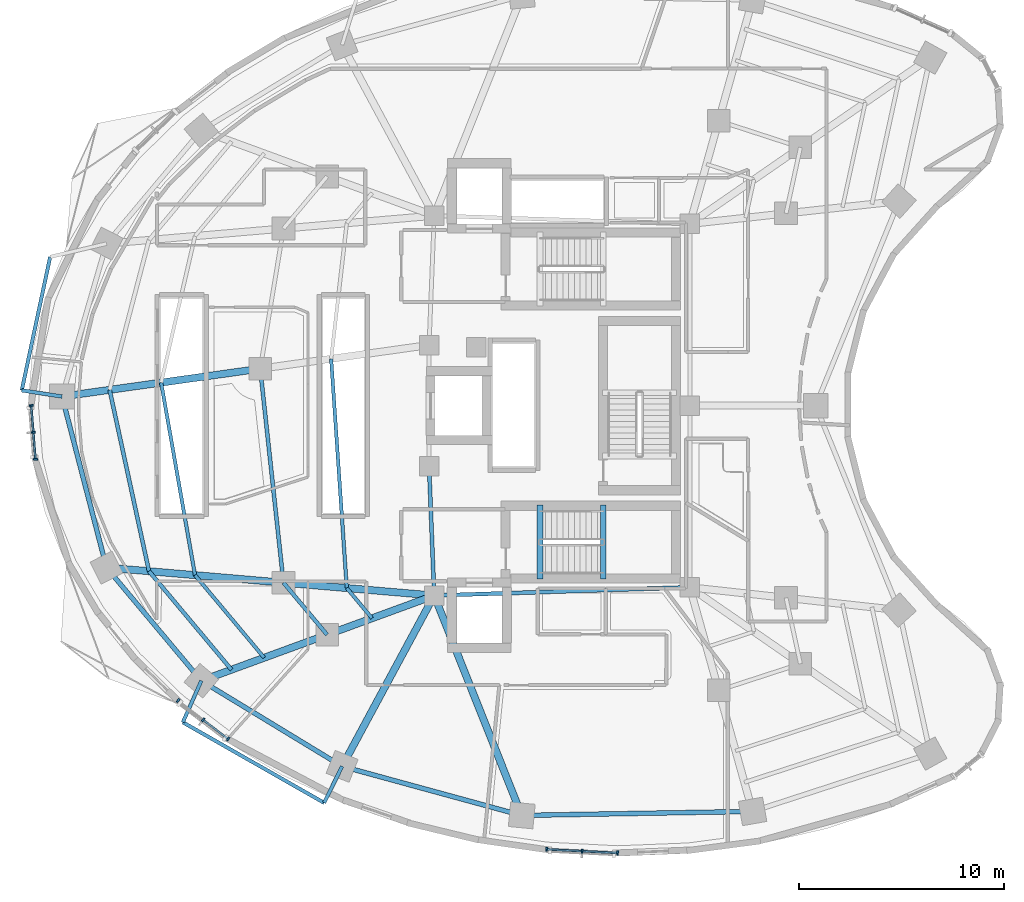
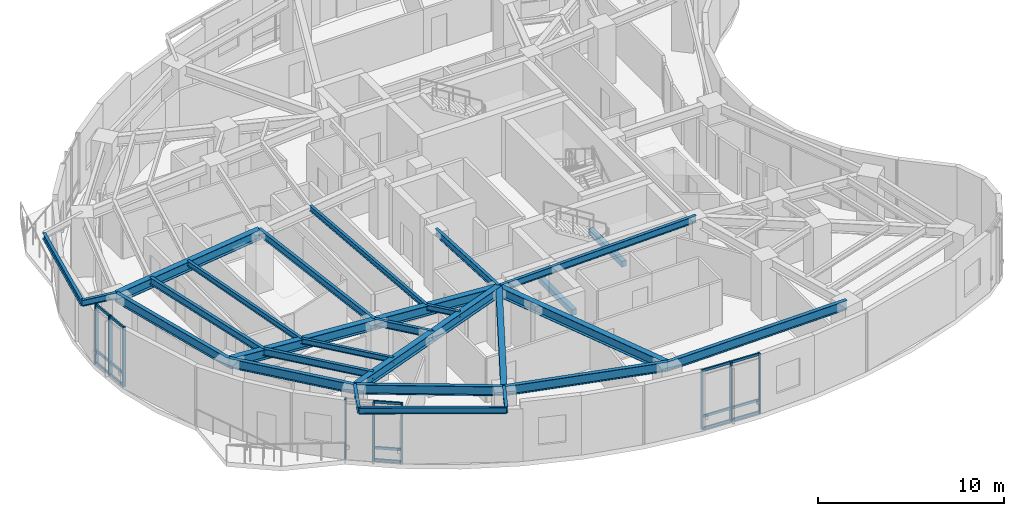
# One storey, part 2 of 15: 29 beams, 24 members, 3 elements without a shape of their own.
"""IFC4 building model written with IfcOpenShell, lengths in metres."""

from ifc_helpers import new_model, si_unit, direction, frame, origin, origin_2d, place, context, subcontext, project, spatial, rectangle, i_section, extrude, material, layer, layer_set, material_profile, profile_set, type_object, element, aggregate, save


model = new_model("IFC4")

# Units and contexts
model_context = context("Model", 3, precision=1e-05, world=origin(), true_north=direction((0.0, 1.0)))
body_context = subcontext(model_context, "Body", "Model", "MODEL_VIEW")
ifc_project = project(units=[si_unit("LENGTHUNIT", "METRE"), si_unit("AREAUNIT", "SQUARE_METRE"), si_unit("VOLUMEUNIT", "CUBIC_METRE"), si_unit("PLANEANGLEUNIT", "RADIAN"), si_unit("MASSUNIT", "GRAM", prefix="KILO")], contexts=[model_context])

# Site, building, storey
site_placement = place(None, origin())
site = spatial("IfcSite", under=ifc_project, at=site_placement, CompositionType="ELEMENT")
building_placement = place(site_placement, origin())
building = spatial("IfcBuilding", under=site, at=building_placement, Name="Korentha Bioscience Tower", CompositionType="ELEMENT")
storey_placement = place(building_placement, frame((0.0, 0.0, 98.39990234375)))
storey = spatial("IfcBuildingStorey", under=building, at=storey_placement, Name="L22", CompositionType="ELEMENT", Elevation=98.39990234375)

# Beams
ifc_material_1 = material(Name="Concrete C50", Category="concrete")
ifc_material_profile_1 = material_profile(ifc_material_1, rectangle(XDim=0.280029296875, YDim=0.3798828125, at=origin_2d()), Name="Concrete C50")
ifc_profile_set_1 = profile_set([ifc_material_profile_1], Name="Concrete C50 (ST-HB380)")
beam_type_1 = type_object("IfcBeamType", Name="Concrete Stair Header Beam RC 280x380", PredefinedType="BEAM", material=ifc_profile_set_1)
for number, where, z_axis, x_axis, name in (
    (1, (30.25, 18.550048828125, -0.18994140625), (0.0, 1.0, 0.0), (-1.0, 0.0, 0.0), "L22 ST-2 Concrete Stair Header Beam"),
    (2, (33.330078125, 18.550048828125, 1.91015625), (0.0, 1.0, 0.0), (-1.0, 0.0, 0.0), "L22 ST-2 Half-Landing Header Beam 1"),
):
    element("IfcBeam", number, at=place(storey_placement, frame(where, z_axis=z_axis, x_axis=x_axis)), inside=storey, type_object=beam_type_1, Name=name, PredefinedType="BEAM", context=body_context, shape_type="SweptSolid", body=[
        extrude(rectangle(XDim=0.280029296875, YDim=0.3798828125, at=origin_2d()), origin(), (0.0, 0.0, 1.0), 3.599853515625),
    ])
ifc_material_2 = material(Name="Steel S355", Category="steel")
ifc_material_profile_2 = material_profile(ifc_material_2, i_section(OverallWidth=0.18994140625, OverallDepth=0.45703125, WebThickness=0.009033203125, FlangeThickness=0.014404296875, at=origin_2d()), Name="Steel S355")
ifc_profile_set_2 = profile_set([ifc_material_profile_2], Name="Steel S355 (MB-460)")
beam_type_2 = type_object("IfcBeamType", Name="Mid-Ring Tie Girder W460x74", PredefinedType="BEAM", material=ifc_profile_set_2)
beam_1_placement = place(storey_placement, frame((16.627197265625, 28.796630859375, 3.671630859375), z_axis=(0.108002632645, -0.994150607977, 0.0), x_axis=(0.994150607977, 0.108002632645, 0.0)))
element("IfcBeam", 3, at=beam_1_placement, inside=storey, type_object=beam_type_2, Name="L22 Mid-Ring Tie Girder 07", PredefinedType="BEAM", context=body_context, shape_type="SweptSolid", body=[
    extrude(i_section(OverallWidth=0.18994140625, OverallDepth=0.45703125, WebThickness=0.009033203125, FlangeThickness=0.014404296875, at=origin_2d()), origin(), (0.0, 0.0, 1.0), 10.48193359375),
])
beam_2_placement = place(storey_placement, frame((17.75927734375, 18.3759765625, 3.671630859375), z_axis=(0.642121371708, -0.766602989817, 0.0), x_axis=(0.766602989817, 0.642121371708, 0.0)))
element("IfcBeam", 4, at=beam_2_placement, inside=storey, type_object=beam_type_2, Name="L22 Mid-Ring Tie Girder 08", PredefinedType="BEAM", context=body_context, shape_type="SweptSolid", body=[
    extrude(i_section(OverallWidth=0.18994140625, OverallDepth=0.45703125, WebThickness=0.009033203125, FlangeThickness=0.014404296875, at=origin_2d()), origin(), (0.0, 0.0, 1.0), 3.306640625),
])
beam_3_placement = place(storey_placement, frame((24.85009765625, 24.050048828125, 3.671630859375), z_axis=(0.039651025576, -0.999213588864, 0.0), x_axis=(0.999213588864, 0.039651025576, 0.0)))
element("IfcBeam", 5, at=beam_3_placement, inside=storey, type_object=beam_type_2, Name="L22 Core Ring Tie Girder 04", PredefinedType="BEAM", context=body_context, shape_type="SweptSolid", body=[
    extrude(i_section(OverallWidth=0.18994140625, OverallDepth=0.45703125, WebThickness=0.009033203125, FlangeThickness=0.014404296875, at=origin_2d()), origin(), (0.0, 0.0, 1.0), 6.304931640625),
])
beam_4_placement = place(storey_placement, frame((25.10009765625, 17.75, 3.671630859375), z_axis=(0.999484526071, 0.032104238723, 0.0), x_axis=(-0.032104238723, 0.999484526071, 0.0)))
element("IfcBeam", 6, at=beam_4_placement, inside=storey, type_object=beam_type_2, Name="L22 Core Ring Tie Girder 05", PredefinedType="BEAM", context=body_context, shape_type="SweptSolid", body=[
    extrude(i_section(OverallWidth=0.18994140625, OverallDepth=0.45703125, WebThickness=0.009033203125, FlangeThickness=0.014404296875, at=origin_2d()), origin(), (0.0, 0.0, 1.0), 12.456298828125),
])

# Curtain wall, members
ifc_material_3 = material(Name="Thermally Broken Aluminium Frame", Category="aluminium")
ifc_layer = layer(ifc_material_3, 0.219970703125, Name="Thermally Broken Aluminium Frame")
ifc_layer_set = layer_set([ifc_layer], Name="Thermally Broken Aluminium Frame (CW-T2)")
curtain_wall_type = type_object("IfcCurtainWallType", Name="Solar-Screened Lab Unitised Curtain Wall CW-T2", PredefinedType="USERDEFINED", material=ifc_layer_set)
curtain_wall_1_placement = place(storey_placement, origin())
curtain_wall_1 = element("IfcCurtainWall", 7, at=curtain_wall_1_placement, inside=storey, type_object=curtain_wall_type, Name="L22 Curtain Wall 19", ObjectType="UNITISED", PredefinedType="USERDEFINED")
ifc_material_4 = material(Name="Anodised Aluminium 6063-T6", Category="aluminium")
ifc_material_profile_3 = material_profile(ifc_material_4, rectangle(XDim=0.090087890625, YDim=0.199951171875, at=origin_2d()), Name="Anodised Aluminium 6063-T6")
ifc_profile_set_3 = profile_set([ifc_material_profile_3], Name="Anodised Aluminium 6063-T6 (CW-MUL)")
member_type_1 = type_object("IfcMemberType", Name="Mullion RECT 90x200", PredefinedType="MULLION", material=ifc_profile_set_3)
member_1_placement = place(storey_placement, frame((5.473876953125, 27.0078125, 0.0), z_axis=(0.0, 0.0, 1.0), x_axis=(0.079130214674, -0.996864288219, 0.0)))
member_1 = element("IfcMember", 8, at=member_1_placement, type_object=member_type_1, Name="CW-L22-19 Mullion 1", PredefinedType="MULLION", context=body_context, shape_type="SweptSolid", body=[
    extrude(rectangle(XDim=0.090087890625, YDim=0.199951171875, at=origin_2d()), origin(), (0.0, 0.0, 1.0), 3.900146484375),
])
member_2_placement = place(storey_placement, frame((5.577880859375, 25.6962890625, 0.0), z_axis=(0.0, 0.0, 1.0), x_axis=(0.079130214674, -0.996864288219, 0.0)))
member_2 = element("IfcMember", 9, at=member_2_placement, type_object=member_type_1, Name="CW-L22-19 Mullion 2", PredefinedType="MULLION", context=body_context, shape_type="SweptSolid", body=[
    extrude(rectangle(XDim=0.090087890625, YDim=0.199951171875, at=origin_2d()), origin(), (0.0, 0.0, 1.0), 3.900146484375),
])
member_3_placement = place(storey_placement, frame((5.681884765625, 24.38525390625, 0.0), z_axis=(0.0, 0.0, 1.0), x_axis=(0.079130214674, -0.996864288219, 0.0)))
member_3 = element("IfcMember", 10, at=member_3_placement, type_object=member_type_1, Name="CW-L22-19 Mullion 3", PredefinedType="MULLION", context=body_context, shape_type="SweptSolid", body=[
    extrude(rectangle(XDim=0.090087890625, YDim=0.199951171875, at=origin_2d()), origin(), (0.0, 0.0, 1.0), 3.900146484375),
])

curtain_wall_2_placement = place(storey_placement, origin())
curtain_wall_2 = element("IfcCurtainWall", 11, at=curtain_wall_2_placement, inside=storey, type_object=curtain_wall_type, Name="L22 Curtain Wall 25", ObjectType="UNITISED", PredefinedType="USERDEFINED")
member_4_placement = place(storey_placement, frame((12.624267578125, 12.62890625, 0.0), z_axis=(0.0, 0.0, 1.0), x_axis=(0.794499603893, -0.607264669986, 0.0)))
member_4 = element("IfcMember", 12, at=member_4_placement, type_object=member_type_1, Name="CW-L22-25 Mullion 1", PredefinedType="MULLION", context=body_context, shape_type="SweptSolid", body=[
    extrude(rectangle(XDim=0.090087890625, YDim=0.199951171875, at=origin_2d()), origin(), (0.0, 0.0, 1.0), 3.900146484375),
])
member_5_placement = place(storey_placement, frame((13.844970703125, 11.69580078125, 0.0), z_axis=(0.0, 0.0, 1.0), x_axis=(0.794499603893, -0.607264669986, 0.0)))
member_5 = element("IfcMember", 13, at=member_5_placement, type_object=member_type_1, Name="CW-L22-25 Mullion 2", PredefinedType="MULLION", context=body_context, shape_type="SweptSolid", body=[
    extrude(rectangle(XDim=0.090087890625, YDim=0.199951171875, at=origin_2d()), origin(), (0.0, 0.0, 1.0), 3.900146484375),
])
member_6_placement = place(storey_placement, frame((15.0654296875, 10.7626953125, 0.0), z_axis=(0.0, 0.0, 1.0), x_axis=(0.794499603893, -0.607264669986, 0.0)))
member_6 = element("IfcMember", 14, at=member_6_placement, type_object=member_type_1, Name="CW-L22-25 Mullion 3", PredefinedType="MULLION", context=body_context, shape_type="SweptSolid", body=[
    extrude(rectangle(XDim=0.090087890625, YDim=0.199951171875, at=origin_2d()), origin(), (0.0, 0.0, 1.0), 3.900146484375),
])

curtain_wall_3_placement = place(storey_placement, origin())
curtain_wall_3 = element("IfcCurtainWall", 15, at=curtain_wall_3_placement, inside=storey, type_object=curtain_wall_type, Name="L22 Curtain Wall 31", ObjectType="UNITISED", PredefinedType="USERDEFINED")
member_7_placement = place(storey_placement, frame((30.571533203125, 5.39111328125, 0.0), z_axis=(0.0, 0.0, 1.0), x_axis=(0.998673231344, -0.051495407527, 0.0)))
member_7 = element("IfcMember", 16, at=member_7_placement, type_object=member_type_1, Name="CW-L22-31 Mullion 1", PredefinedType="MULLION", context=body_context, shape_type="SweptSolid", body=[
    extrude(rectangle(XDim=0.090087890625, YDim=0.199951171875, at=origin_2d()), origin(), (0.0, 0.0, 1.0), 3.900146484375),
])
member_8_placement = place(storey_placement, frame((32.301025390625, 5.302001953125, 0.0), z_axis=(0.0, 0.0, 1.0), x_axis=(0.998673231344, -0.051495407527, 0.0)))
member_8 = element("IfcMember", 17, at=member_8_placement, type_object=member_type_1, Name="CW-L22-31 Mullion 2", PredefinedType="MULLION", context=body_context, shape_type="SweptSolid", body=[
    extrude(rectangle(XDim=0.090087890625, YDim=0.199951171875, at=origin_2d()), origin(), (0.0, 0.0, 1.0), 3.900146484375),
])
member_9_placement = place(storey_placement, frame((34.03076171875, 5.212646484375, 0.0), z_axis=(0.0, 0.0, 1.0), x_axis=(0.998673231344, -0.051495407527, 0.0)))
member_9 = element("IfcMember", 18, at=member_9_placement, type_object=member_type_1, Name="CW-L22-31 Mullion 3", PredefinedType="MULLION", context=body_context, shape_type="SweptSolid", body=[
    extrude(rectangle(XDim=0.090087890625, YDim=0.199951171875, at=origin_2d()), origin(), (0.0, 0.0, 1.0), 3.900146484375),
])

# Beams
ifc_material_profile_4 = material_profile(ifc_material_2, i_section(OverallWidth=0.22802734375, OverallDepth=0.60791015625, WebThickness=0.01123046875, FlangeThickness=0.017333984375, at=origin_2d()), Name="Steel S355")
ifc_profile_set_4 = profile_set([ifc_material_profile_4], Name="Steel S355 (SB-610)")
beam_type_3 = type_object("IfcBeamType", Name="Perimeter Ring Spandrel Girder W610x113", PredefinedType="SPANDREL", material=ifc_profile_set_4)
beam_5_placement = place(storey_placement, frame((6.97412109375, 27.4423828125, 3.59619140625), z_axis=(0.251792692694, -0.96778119423, 0.0), x_axis=(0.96778119423, 0.251792692694, 0.0)))
element("IfcBeam", 19, at=beam_5_placement, inside=storey, type_object=beam_type_3, Name="L22 Perimeter Spandrel Girder 07", PredefinedType="SPANDREL", context=body_context, shape_type="SweptSolid", body=[
    extrude(i_section(OverallWidth=0.22802734375, OverallDepth=0.60791015625, WebThickness=0.01123046875, FlangeThickness=0.017333984375, at=origin_2d()), origin(), (0.0, 0.0, 1.0), 8.609130859375),
])
beam_6_placement = place(storey_placement, frame((9.141845703125, 19.110595703125, 3.59619140625), z_axis=(0.642126556076, -0.76659864726, 0.0), x_axis=(0.76659864726, 0.642126556076, 0.0)))
element("IfcBeam", 20, at=beam_6_placement, inside=storey, type_object=beam_type_3, Name="L22 Perimeter Spandrel Girder 08", PredefinedType="SPANDREL", context=body_context, shape_type="SweptSolid", body=[
    extrude(i_section(OverallWidth=0.22802734375, OverallDepth=0.60791015625, WebThickness=0.01123046875, FlangeThickness=0.017333984375, at=origin_2d()), origin(), (0.0, 0.0, 1.0), 7.1884765625),
])
beam_7_placement = place(storey_placement, frame((13.7578125, 13.599853515625, 3.59619140625), z_axis=(0.854461040474, -0.51951547649, 0.0), x_axis=(0.51951547649, 0.854461040474, 0.0)))
element("IfcBeam", 21, at=beam_7_placement, inside=storey, type_object=beam_type_3, Name="L22 Perimeter Spandrel Girder 09", PredefinedType="SPANDREL", context=body_context, shape_type="SweptSolid", body=[
    extrude(i_section(OverallWidth=0.22802734375, OverallDepth=0.60791015625, WebThickness=0.01123046875, FlangeThickness=0.017333984375, at=origin_2d()), origin(), (0.0, 0.0, 1.0), 8.025146484375),
])
beam_8_placement = place(storey_placement, frame((20.614990234375, 9.4306640625, 3.59619140625), z_axis=(0.964659386444, -0.263500034431, 0.0), x_axis=(0.263500034431, 0.964659386444, 0.0)))
element("IfcBeam", 22, at=beam_8_placement, inside=storey, type_object=beam_type_3, Name="L22 Perimeter Spandrel Girder 10", PredefinedType="SPANDREL", context=body_context, shape_type="SweptSolid", body=[
    extrude(i_section(OverallWidth=0.22802734375, OverallDepth=0.60791015625, WebThickness=0.01123046875, FlangeThickness=0.017333984375, at=origin_2d()), origin(), (0.0, 0.0, 1.0), 9.06982421875),
])
beam_9_placement = place(storey_placement, frame((29.3642578125, 7.040771484375, 3.59619140625), z_axis=(0.999850566826, 0.017287105523, 0.0), x_axis=(-0.017287105523, 0.999850566826, 0.0)))
element("IfcBeam", 23, at=beam_9_placement, inside=storey, type_object=beam_type_3, Name="L22 Perimeter Spandrel Girder 11", PredefinedType="SPANDREL", context=body_context, shape_type="SweptSolid", body=[
    extrude(i_section(OverallWidth=0.22802734375, OverallDepth=0.60791015625, WebThickness=0.01123046875, FlangeThickness=0.017333984375, at=origin_2d()), origin(), (0.0, 0.0, 1.0), 11.24169921875),
])
ifc_material_profile_5 = material_profile(ifc_material_2, i_section(OverallWidth=0.18994140625, OverallDepth=0.45703125, WebThickness=0.009033203125, FlangeThickness=0.014404296875, at=origin_2d()), Name="Steel S355")
ifc_profile_set_5 = profile_set([ifc_material_profile_5], Name="Steel S355 (RB-460)")
beam_type_4 = type_object("IfcBeamType", Name="Radial Laboratory Beam W460x74", PredefinedType="BEAM", material=ifc_profile_set_5)
beam_10_placement = place(storey_placement, frame((9.291015625, 27.767578125, 3.671630859375), z_axis=(0.212289478944, -0.977206824132, 0.0), x_axis=(0.977206824132, 0.212289478944, 0.0)))
element("IfcBeam", 24, at=beam_10_placement, inside=storey, type_object=beam_type_4, Name="L22 Secondary Floor Beam JSTO-07", PredefinedType="BEAM", context=body_context, shape_type="SweptSolid", body=[
    extrude(i_section(OverallWidth=0.18994140625, OverallDepth=0.45703125, WebThickness=0.009033203125, FlangeThickness=0.014404296875, at=origin_2d()), origin(), (0.0, 0.0, 1.0), 9.039306640625),
])
beam_11_placement = place(storey_placement, frame((11.2099609375, 18.934326171875, 3.671630859375), z_axis=(0.642128156066, -0.766597307057, 0.0), x_axis=(0.766597307057, 0.642128156066, 0.0)))
element("IfcBeam", 25, at=beam_11_placement, inside=storey, type_object=beam_type_4, Name="L22 Secondary Floor Beam JSTO-08", PredefinedType="BEAM", context=body_context, shape_type="SweptSolid", body=[
    extrude(i_section(OverallWidth=0.18994140625, OverallDepth=0.45703125, WebThickness=0.009033203125, FlangeThickness=0.014404296875, at=origin_2d()), origin(), (0.0, 0.0, 1.0), 6.257080078125),
])
ifc_material_profile_6 = material_profile(ifc_material_2, i_section(OverallWidth=0.35009765625, OverallDepth=0.64990234375, WebThickness=0.01611328125, FlangeThickness=0.02490234375, at=origin_2d()), Name="Steel S355")
ifc_profile_set_6 = profile_set([ifc_material_profile_6], Name="Steel S355 (RB-650)")
beam_type_5 = type_object("IfcBeamType", Name="Radial Laboratory Girder CVS 650x208", PredefinedType="BEAM", material=ifc_profile_set_6)
beam_12_placement = place(storey_placement, frame((16.627197265625, 28.796630859375, 3.5751953125), z_axis=(-0.99030201931, -0.138931315944, 0.0), x_axis=(0.138931315944, -0.99030201931, 0.0)))
element("IfcBeam", 26, at=beam_12_placement, inside=storey, type_object=beam_type_5, Name="L22 Outer Radial Girder 07", PredefinedType="BEAM", context=body_context, shape_type="SweptSolid", body=[
    extrude(i_section(OverallWidth=0.35009765625, OverallDepth=0.64990234375, WebThickness=0.01611328125, FlangeThickness=0.02490234375, at=origin_2d()), origin(), (0.0, 0.0, 1.0), 9.74755859375),
])
beam_13_placement = place(storey_placement, frame((25.10009765625, 17.75, 3.5751953125), z_axis=(-0.996383934197, 0.084965026183, 0.0), x_axis=(-0.084965026183, -0.996383934197, 0.0)))
element("IfcBeam", 27, at=beam_13_placement, inside=storey, type_object=beam_type_5, Name="L22 Inner Radial Girder 08", PredefinedType="BEAM", context=body_context, shape_type="SweptSolid", body=[
    extrude(i_section(OverallWidth=0.35009765625, OverallDepth=0.64990234375, WebThickness=0.01611328125, FlangeThickness=0.02490234375, at=origin_2d()), origin(), (0.0, 0.0, 1.0), 7.367431640625),
])
beam_14_placement = place(storey_placement, frame((17.75927734375, 18.3759765625, 3.5751953125), z_axis=(-0.996386071548, 0.084939957767, 0.0), x_axis=(-0.084939957767, -0.996386071548, 0.0)))
element("IfcBeam", 28, at=beam_14_placement, inside=storey, type_object=beam_type_5, Name="L22 Outer Radial Girder 08", PredefinedType="BEAM", context=body_context, shape_type="SweptSolid", body=[
    extrude(i_section(OverallWidth=0.35009765625, OverallDepth=0.64990234375, WebThickness=0.01611328125, FlangeThickness=0.02490234375, at=origin_2d()), origin(), (0.0, 0.0, 1.0), 8.648681640625),
])
beam_15_placement = place(storey_placement, frame((25.10009765625, 17.75, 3.5751953125), z_axis=(-0.939118010396, -0.343594765022, 0.0), x_axis=(0.343594765022, -0.939118010396, 0.0)))
element("IfcBeam", 29, at=beam_15_placement, inside=storey, type_object=beam_type_5, Name="L22 Inner Radial Girder 09", PredefinedType="BEAM", context=body_context, shape_type="SweptSolid", body=[
    extrude(i_section(OverallWidth=0.35009765625, OverallDepth=0.64990234375, WebThickness=0.01611328125, FlangeThickness=0.02490234375, at=origin_2d()), origin(), (0.0, 0.0, 1.0), 5.5556640625),
])
beam_16_placement = place(storey_placement, frame((19.882568359375, 15.841064453125, 3.5751953125), z_axis=(-0.939100755225, -0.343641923425, 0.0), x_axis=(0.343641923425, -0.939100755225, 0.0)))
element("IfcBeam", 30, at=beam_16_placement, inside=storey, type_object=beam_type_5, Name="L22 Outer Radial Girder 09", PredefinedType="BEAM", context=body_context, shape_type="SweptSolid", body=[
    extrude(i_section(OverallWidth=0.35009765625, OverallDepth=0.64990234375, WebThickness=0.01611328125, FlangeThickness=0.02490234375, at=origin_2d()), origin(), (0.0, 0.0, 1.0), 6.52197265625),
])
beam_17_placement = place(storey_placement, frame((25.10009765625, 17.75, 3.5751953125), z_axis=(-0.474548018732, -0.880229616587, 0.0), x_axis=(0.880229616587, -0.474548018732, 0.0)))
element("IfcBeam", 31, at=beam_17_placement, inside=storey, type_object=beam_type_5, Name="L22 Radial Girder 10", PredefinedType="BEAM", context=body_context, shape_type="SweptSolid", body=[
    extrude(i_section(OverallWidth=0.35009765625, OverallDepth=0.64990234375, WebThickness=0.01611328125, FlangeThickness=0.02490234375, at=origin_2d()), origin(), (0.0, 0.0, 1.0), 9.451416015625),
])
beam_18_placement = place(storey_placement, frame((25.10009765625, 17.75, 3.5751953125), z_axis=(0.369929528493, -0.929059817207, 0.0), x_axis=(0.929059817207, 0.369929528493, 0.0)))
element("IfcBeam", 32, at=beam_18_placement, inside=storey, type_object=beam_type_5, Name="L22 Radial Girder 11", PredefinedType="BEAM", context=body_context, shape_type="SweptSolid", body=[
    extrude(i_section(OverallWidth=0.35009765625, OverallDepth=0.64990234375, WebThickness=0.01611328125, FlangeThickness=0.02490234375, at=origin_2d()), origin(), (0.0, 0.0, 1.0), 11.52685546875),
])
ifc_material_profile_7 = material_profile(ifc_material_2, i_section(OverallWidth=0.1708984375, OverallDepth=0.35498046875, WebThickness=0.007080078125, FlangeThickness=0.01171875, at=origin_2d()), Name="Steel S355")
ifc_profile_set_7 = profile_set([ifc_material_profile_7], Name="Steel S355 (JB-360)")
beam_type_6 = type_object("IfcBeamType", Name="Secondary Laboratory Joist W360x51", PredefinedType="JOIST", material=ifc_profile_set_7)
beam_19_placement = place(storey_placement, frame((11.800537109375, 28.11962890625, 3.72265625), z_axis=(0.173304009699, -0.984868377105, 0.0), x_axis=(0.984868377105, 0.173304009699, 0.0)))
element("IfcBeam", 33, at=beam_19_placement, inside=storey, type_object=beam_type_6, Name="L22 Secondary Floor Beam JST-07", PredefinedType="JOIST", context=body_context, shape_type="SweptSolid", body=[
    extrude(i_section(OverallWidth=0.1708984375, OverallDepth=0.35498046875, WebThickness=0.007080078125, FlangeThickness=0.01171875, at=origin_2d()), origin(), (0.0, 0.0, 1.0), 9.520263671875),
])
beam_20_placement = place(storey_placement, frame((20.080810546875, 29.281005859375, 3.72265625), z_axis=(0.068025861704, -0.997683558118, 0.0), x_axis=(0.997683558118, 0.068025861704, 0.0)))
element("IfcBeam", 34, at=beam_20_placement, inside=storey, type_object=beam_type_6, Name="L22 Inner Bay Joist 07", PredefinedType="JOIST", context=body_context, shape_type="SweptSolid", body=[
    extrude(i_section(OverallWidth=0.1708984375, OverallDepth=0.35498046875, WebThickness=0.007080078125, FlangeThickness=0.01171875, at=origin_2d()), origin(), (0.0, 0.0, 1.0), 11.19384765625),
])
beam_21_placement = place(storey_placement, frame((13.450439453125, 18.743408203125, 3.72265625), z_axis=(0.642140812018, -0.76658670582, 0.0), x_axis=(0.76658670582, 0.642140812018, 0.0)))
element("IfcBeam", 35, at=beam_21_placement, inside=storey, type_object=beam_type_6, Name="L22 Secondary Floor Beam JST-08", PredefinedType="JOIST", context=body_context, shape_type="SweptSolid", body=[
    extrude(i_section(OverallWidth=0.1708984375, OverallDepth=0.35498046875, WebThickness=0.007080078125, FlangeThickness=0.01171875, at=origin_2d()), origin(), (0.0, 0.0, 1.0), 5.247802734375),
])
beam_22_placement = place(storey_placement, frame((20.84228515625, 18.113037109375, 3.72265625), z_axis=(0.64218549873, -0.766549271229, 0.0), x_axis=(0.766549271229, 0.64218549873, 0.0)))
element("IfcBeam", 36, at=beam_22_placement, inside=storey, type_object=beam_type_6, Name="L22 Inner Bay Joist 08", PredefinedType="JOIST", context=body_context, shape_type="SweptSolid", body=[
    extrude(i_section(OverallWidth=0.1708984375, OverallDepth=0.35498046875, WebThickness=0.007080078125, FlangeThickness=0.01171875, at=origin_2d()), origin(), (0.0, 0.0, 1.0), 1.91796875),
])
ifc_material_profile_8 = material_profile(ifc_material_2, i_section(OverallWidth=0.177978515625, OverallDepth=0.406982421875, WebThickness=0.0078125, FlangeThickness=0.0126953125, at=origin_2d()), Name="Steel S355")
ifc_profile_set_8 = profile_set([ifc_material_profile_8], Name="Steel S355 (CB-410)")
beam_type_7 = type_object("IfcBeamType", Name="Sun-Ledge Cantilever Beam W410x60", PredefinedType="BEAM", material=ifc_profile_set_8)
beam_23_placement = place(storey_placement, frame((6.97412109375, 27.4423828125, 3.698486328125), z_axis=(-0.988449844693, 0.151548357058, 0.0), x_axis=(-0.151548357058, -0.988449844693, 0.0)))
element("IfcBeam", 37, at=beam_23_placement, inside=storey, type_object=beam_type_7, Name="L22 Balcony Cantilever Bracket B-L23-02", PredefinedType="BEAM", context=body_context, shape_type="SweptSolid", body=[
    extrude(i_section(OverallWidth=0.177978515625, OverallDepth=0.406982421875, WebThickness=0.0078125, FlangeThickness=0.0126953125, at=origin_2d()), origin(), (0.0, 0.0, 1.0), 1.983154296875),
])
beam_24_placement = place(storey_placement, frame((6.396240234375, 34.241943359375, 3.698486328125), z_axis=(-0.208043322496, -0.978119612299, 0.0), x_axis=(0.978119612299, -0.208043322496, 0.0)))
element("IfcBeam", 38, at=beam_24_placement, inside=storey, type_object=beam_type_7, Name="L22 Balcony Edge Trimmer Beam L23-02", PredefinedType="BEAM", context=body_context, shape_type="SweptSolid", body=[
    extrude(i_section(OverallWidth=0.177978515625, OverallDepth=0.406982421875, WebThickness=0.0078125, FlangeThickness=0.0126953125, at=origin_2d()), origin(), (0.0, 0.0, 1.0), 6.644287109375),
])
beam_25_placement = place(storey_placement, frame((13.7578125, 13.599853515625, 3.698486328125), z_axis=(-0.405872529473, -0.913929696322, 0.0), x_axis=(0.913929696322, -0.405872529473, 0.0)))
element("IfcBeam", 39, at=beam_25_placement, inside=storey, type_object=beam_type_7, Name="L22 Balcony Cantilever Bracket A-L23-03", PredefinedType="BEAM", context=body_context, shape_type="SweptSolid", body=[
    extrude(i_section(OverallWidth=0.177978515625, OverallDepth=0.406982421875, WebThickness=0.0078125, FlangeThickness=0.0126953125, at=origin_2d()), origin(), (0.0, 0.0, 1.0), 2.21484375),
])
beam_26_placement = place(storey_placement, frame((20.614990234375, 9.4306640625, 3.698486328125), z_axis=(-0.442573573107, -0.896732196582, 0.0), x_axis=(0.896732196582, -0.442573573107, 0.0)))
element("IfcBeam", 40, at=beam_26_placement, inside=storey, type_object=beam_type_7, Name="L22 Balcony Cantilever Bracket B-L23-03", PredefinedType="BEAM", context=body_context, shape_type="SweptSolid", body=[
    extrude(i_section(OverallWidth=0.177978515625, OverallDepth=0.406982421875, WebThickness=0.0078125, FlangeThickness=0.0126953125, at=origin_2d()), origin(), (0.0, 0.0, 1.0), 1.98095703125),
])
beam_27_placement = place(storey_placement, frame((12.85888671875, 11.57568359375, 3.698486328125), z_axis=(0.868770107345, -0.495215610198, 0.0), x_axis=(0.495215610198, 0.868770107345, 0.0)))
element("IfcBeam", 41, at=beam_27_placement, inside=storey, type_object=beam_type_7, Name="L22 Balcony Edge Trimmer Beam L23-03", PredefinedType="BEAM", context=body_context, shape_type="SweptSolid", body=[
    extrude(i_section(OverallWidth=0.177978515625, OverallDepth=0.406982421875, WebThickness=0.0078125, FlangeThickness=0.0126953125, at=origin_2d()), origin(), (0.0, 0.0, 1.0), 7.91845703125),
])

# Member
ifc_material_profile_9 = material_profile(ifc_material_4, rectangle(XDim=0.090087890625, YDim=0.159912109375, at=origin_2d()), Name="Anodised Aluminium 6063-T6")
ifc_profile_set_9 = profile_set([ifc_material_profile_9], Name="Anodised Aluminium 6063-T6 (CW-TRN)")
member_type_2 = type_object("IfcMemberType", Name="Transom RECT 90x160", PredefinedType="USERDEFINED", material=ifc_profile_set_9)
member_10_placement = place(storey_placement, frame((5.477294921875, 26.962890625, 0.045166015625), z_axis=(0.079285983344, -0.996851911191, 0.0), x_axis=(0.996851911191, 0.079285983344, 0.0)))
member_10 = element("IfcMember", 42, at=member_10_placement, type_object=member_type_2, Name="CW-L22-19 Bay 1 Transom 1", ObjectType="TRANSOM", PredefinedType="USERDEFINED", context=body_context, shape_type="SweptSolid", body=[
    extrude(rectangle(XDim=0.090087890625, YDim=0.159912109375, at=origin_2d()), origin(), (0.0, 0.0, 1.0), 1.2255859375),
])

member_11_placement = place(storey_placement, frame((5.477294921875, 26.962890625, 0.85009765625), z_axis=(0.079285983344, -0.996851911191, 0.0), x_axis=(0.996851911191, 0.079285983344, 0.0)))
member_11 = element("IfcMember", 43, at=member_11_placement, type_object=member_type_2, Name="CW-L22-19 Bay 1 Transom 2", ObjectType="TRANSOM", PredefinedType="USERDEFINED", context=body_context, shape_type="SweptSolid", body=[
    extrude(rectangle(XDim=0.090087890625, YDim=0.159912109375, at=origin_2d()), origin(), (0.0, 0.0, 1.0), 1.2255859375),
])

member_12_placement = place(storey_placement, frame((5.477294921875, 26.962890625, 3.85498046875), z_axis=(0.079285983344, -0.996851911191, 0.0), x_axis=(0.996851911191, 0.079285983344, 0.0)))
member_12 = element("IfcMember", 44, at=member_12_placement, type_object=member_type_2, Name="CW-L22-19 Bay 1 Transom 3", ObjectType="TRANSOM", PredefinedType="USERDEFINED", context=body_context, shape_type="SweptSolid", body=[
    extrude(rectangle(XDim=0.090087890625, YDim=0.159912109375, at=origin_2d()), origin(), (0.0, 0.0, 1.0), 1.2255859375),
])

member_13_placement = place(storey_placement, frame((5.58154296875, 25.651611328125, 0.045166015625), z_axis=(0.079088019938, -0.996867636701, 0.0), x_axis=(0.996867636701, 0.079088019938, 0.0)))
member_13 = element("IfcMember", 45, at=member_13_placement, type_object=member_type_2, Name="CW-L22-19 Bay 2 Transom 1", ObjectType="TRANSOM", PredefinedType="USERDEFINED", context=body_context, shape_type="SweptSolid", body=[
    extrude(rectangle(XDim=0.090087890625, YDim=0.159912109375, at=origin_2d()), origin(), (0.0, 0.0, 1.0), 1.2255859375),
])

member_14_placement = place(storey_placement, frame((5.58154296875, 25.651611328125, 0.85009765625), z_axis=(0.079088019938, -0.996867636701, 0.0), x_axis=(0.996867636701, 0.079088019938, 0.0)))
member_14 = element("IfcMember", 46, at=member_14_placement, type_object=member_type_2, Name="CW-L22-19 Bay 2 Transom 2", ObjectType="TRANSOM", PredefinedType="USERDEFINED", context=body_context, shape_type="SweptSolid", body=[
    extrude(rectangle(XDim=0.090087890625, YDim=0.159912109375, at=origin_2d()), origin(), (0.0, 0.0, 1.0), 1.2255859375),
])

member_15_placement = place(storey_placement, frame((5.58154296875, 25.651611328125, 3.85498046875), z_axis=(0.079088019938, -0.996867636701, 0.0), x_axis=(0.996867636701, 0.079088019938, 0.0)))
member_15 = element("IfcMember", 47, at=member_15_placement, type_object=member_type_2, Name="CW-L22-19 Bay 2 Transom 3", ObjectType="TRANSOM", PredefinedType="USERDEFINED", context=body_context, shape_type="SweptSolid", body=[
    extrude(rectangle(XDim=0.090087890625, YDim=0.159912109375, at=origin_2d()), origin(), (0.0, 0.0, 1.0), 1.2255859375),
])

aggregate(curtain_wall_1, [member_1, member_2, member_3, member_10, member_11, member_12, member_13, member_14, member_15])

member_16_placement = place(storey_placement, frame((13.880615234375, 11.66845703125, 0.045166015625), z_axis=(0.794477589546, -0.607293470828, 0.0), x_axis=(0.607293470828, 0.794477589546, 0.0)))
member_16 = element("IfcMember", 48, at=member_16_placement, type_object=member_type_2, Name="CW-L22-25 Bay 2 Transom 1", ObjectType="TRANSOM", PredefinedType="USERDEFINED", context=body_context, shape_type="SweptSolid", body=[
    extrude(rectangle(XDim=0.090087890625, YDim=0.159912109375, at=origin_2d()), origin(), (0.0, 0.0, 1.0), 1.446533203125),
])

member_17_placement = place(storey_placement, frame((13.880615234375, 11.66845703125, 0.85009765625), z_axis=(0.794477589546, -0.607293470828, 0.0), x_axis=(0.607293470828, 0.794477589546, 0.0)))
member_17 = element("IfcMember", 49, at=member_17_placement, type_object=member_type_2, Name="CW-L22-25 Bay 2 Transom 2", ObjectType="TRANSOM", PredefinedType="USERDEFINED", context=body_context, shape_type="SweptSolid", body=[
    extrude(rectangle(XDim=0.090087890625, YDim=0.159912109375, at=origin_2d()), origin(), (0.0, 0.0, 1.0), 1.446533203125),
])

member_18_placement = place(storey_placement, frame((13.880615234375, 11.66845703125, 3.85498046875), z_axis=(0.794477589546, -0.607293470828, 0.0), x_axis=(0.607293470828, 0.794477589546, 0.0)))
member_18 = element("IfcMember", 50, at=member_18_placement, type_object=member_type_2, Name="CW-L22-25 Bay 2 Transom 3", ObjectType="TRANSOM", PredefinedType="USERDEFINED", context=body_context, shape_type="SweptSolid", body=[
    extrude(rectangle(XDim=0.090087890625, YDim=0.159912109375, at=origin_2d()), origin(), (0.0, 0.0, 1.0), 1.446533203125),
])

aggregate(curtain_wall_2, [member_4, member_5, member_6, member_16, member_17, member_18])

member_19_placement = place(storey_placement, frame((30.616455078125, 5.388916015625, 0.045166015625), z_axis=(0.998667892989, -0.05159883247, 0.0), x_axis=(0.05159883247, 0.998667892989, 0.0)))
member_19 = element("IfcMember", 51, at=member_19_placement, type_object=member_type_2, Name="CW-L22-31 Bay 1 Transom 1", ObjectType="TRANSOM", PredefinedType="USERDEFINED", context=body_context, shape_type="SweptSolid", body=[
    extrude(rectangle(XDim=0.090087890625, YDim=0.159912109375, at=origin_2d()), origin(), (0.0, 0.0, 1.0), 1.641845703125),
])

member_20_placement = place(storey_placement, frame((30.616455078125, 5.388916015625, 0.85009765625), z_axis=(0.998667892989, -0.05159883247, 0.0), x_axis=(0.05159883247, 0.998667892989, 0.0)))
member_20 = element("IfcMember", 52, at=member_20_placement, type_object=member_type_2, Name="CW-L22-31 Bay 1 Transom 2", ObjectType="TRANSOM", PredefinedType="USERDEFINED", context=body_context, shape_type="SweptSolid", body=[
    extrude(rectangle(XDim=0.090087890625, YDim=0.159912109375, at=origin_2d()), origin(), (0.0, 0.0, 1.0), 1.641845703125),
])

member_21_placement = place(storey_placement, frame((30.616455078125, 5.388916015625, 3.85498046875), z_axis=(0.998667892989, -0.05159883247, 0.0), x_axis=(0.05159883247, 0.998667892989, 0.0)))
member_21 = element("IfcMember", 53, at=member_21_placement, type_object=member_type_2, Name="CW-L22-31 Bay 1 Transom 3", ObjectType="TRANSOM", PredefinedType="USERDEFINED", context=body_context, shape_type="SweptSolid", body=[
    extrude(rectangle(XDim=0.090087890625, YDim=0.159912109375, at=origin_2d()), origin(), (0.0, 0.0, 1.0), 1.641845703125),
])

member_22_placement = place(storey_placement, frame((32.345947265625, 5.299560546875, 0.045166015625), z_axis=(0.998675544552, -0.051450526863, 0.0), x_axis=(0.051450526863, 0.998675544552, 0.0)))
member_22 = element("IfcMember", 54, at=member_22_placement, type_object=member_type_2, Name="CW-L22-31 Bay 2 Transom 1", ObjectType="TRANSOM", PredefinedType="USERDEFINED", context=body_context, shape_type="SweptSolid", body=[
    extrude(rectangle(XDim=0.090087890625, YDim=0.159912109375, at=origin_2d()), origin(), (0.0, 0.0, 1.0), 1.641845703125),
])

member_23_placement = place(storey_placement, frame((32.345947265625, 5.299560546875, 0.85009765625), z_axis=(0.998675544552, -0.051450526863, 0.0), x_axis=(0.051450526863, 0.998675544552, 0.0)))
member_23 = element("IfcMember", 55, at=member_23_placement, type_object=member_type_2, Name="CW-L22-31 Bay 2 Transom 2", ObjectType="TRANSOM", PredefinedType="USERDEFINED", context=body_context, shape_type="SweptSolid", body=[
    extrude(rectangle(XDim=0.090087890625, YDim=0.159912109375, at=origin_2d()), origin(), (0.0, 0.0, 1.0), 1.641845703125),
])

member_24_placement = place(storey_placement, frame((32.345947265625, 5.299560546875, 3.85498046875), z_axis=(0.998675544552, -0.051450526863, 0.0), x_axis=(0.051450526863, 0.998675544552, 0.0)))
member_24 = element("IfcMember", 56, at=member_24_placement, type_object=member_type_2, Name="CW-L22-31 Bay 2 Transom 3", ObjectType="TRANSOM", PredefinedType="USERDEFINED", context=body_context, shape_type="SweptSolid", body=[
    extrude(rectangle(XDim=0.090087890625, YDim=0.159912109375, at=origin_2d()), origin(), (0.0, 0.0, 1.0), 1.641845703125),
])

aggregate(curtain_wall_3, [member_7, member_8, member_9, member_19, member_20, member_21, member_22, member_23, member_24])

save(model, "model.ifc")
